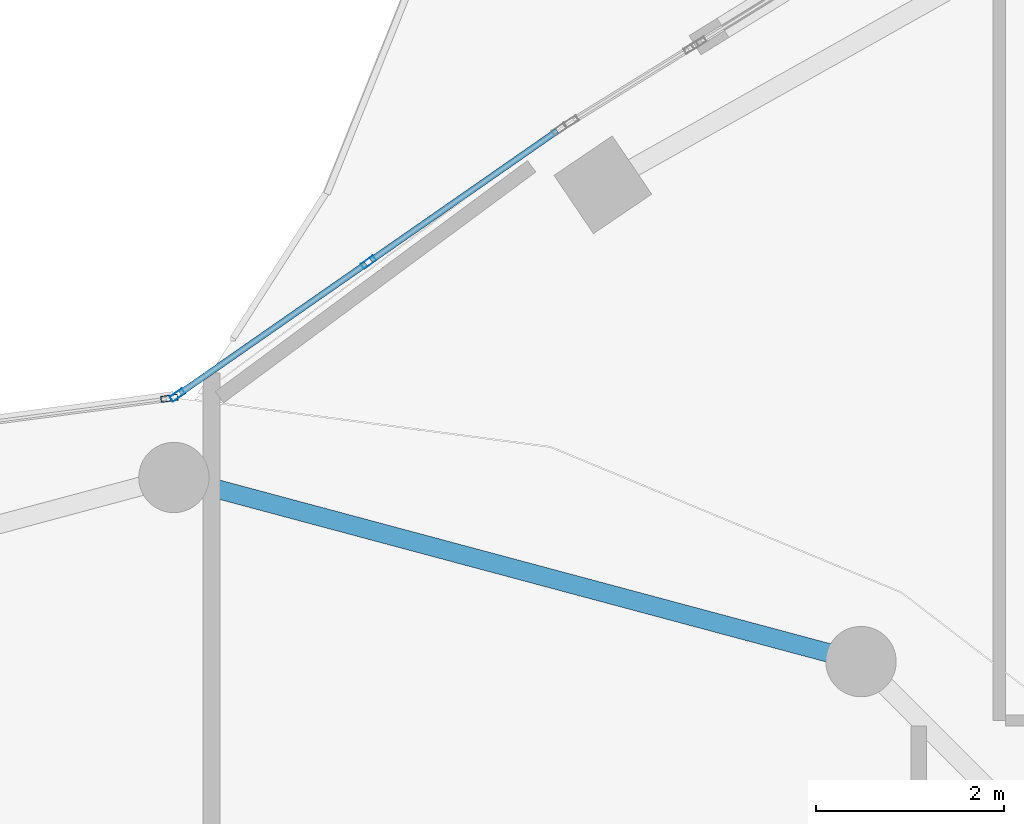
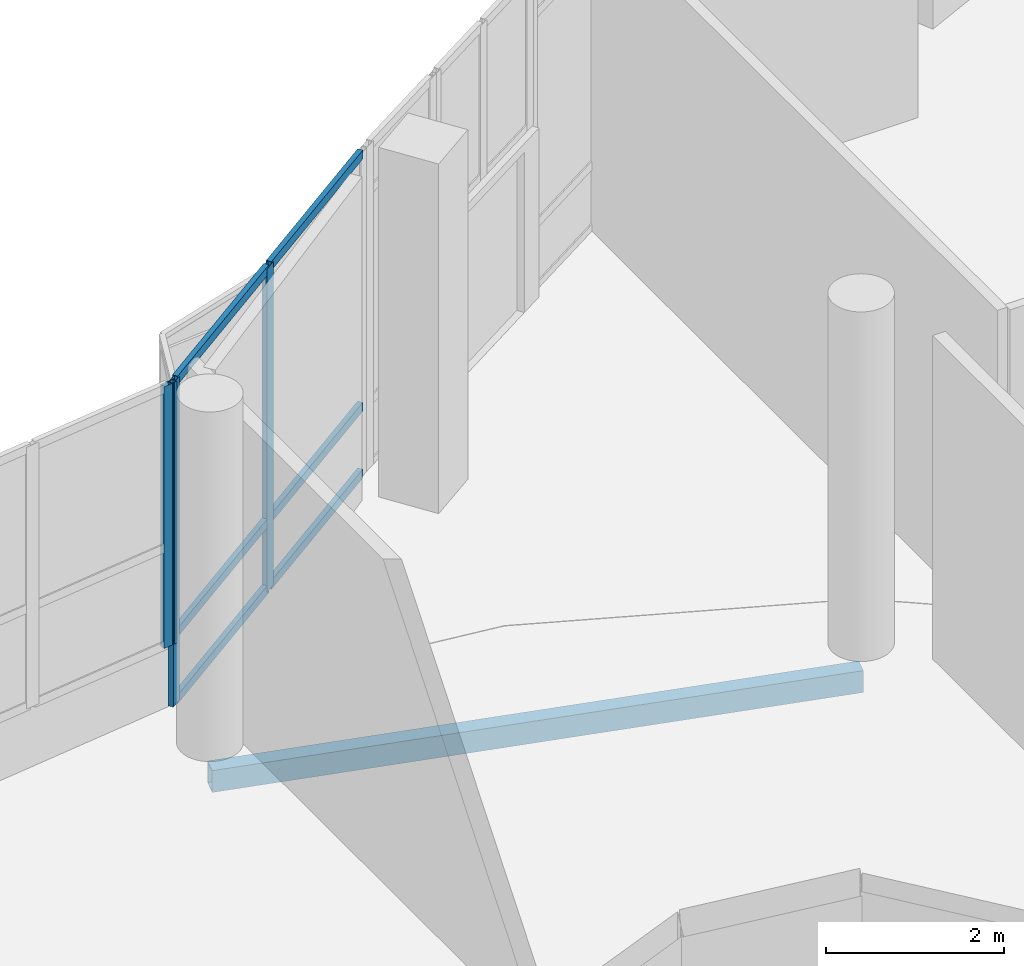
# One storey, part 61 of 168: 9 members, 1 beam, 2 elements without a shape of their own.
"""IFC4 building model written with IfcOpenShell, lengths in metres."""

from ifc_helpers import new_model, si_unit, direction, frame, origin, origin_2d, place, context, subcontext, project, spatial, hollow_rectangle, extrude, material, material_profile, profile_set, type_object, element, aggregate, save


model = new_model("IFC4")

# Units and contexts
model_context = context("Model", 3, precision=1e-05, world=origin(), true_north=direction((0.0, 1.0)))
body_context = subcontext(model_context, "Body", "Model", "MODEL_VIEW")
ifc_project = project(units=[si_unit("LENGTHUNIT", "METRE"), si_unit("AREAUNIT", "SQUARE_METRE"), si_unit("VOLUMEUNIT", "CUBIC_METRE"), si_unit("PLANEANGLEUNIT", "RADIAN"), si_unit("MASSUNIT", "GRAM", prefix="KILO")], contexts=[model_context])

# Site, building, storey
site_placement = place(None, origin())
site = spatial("IfcSite", under=ifc_project, at=site_placement, CompositionType="ELEMENT")
building_placement = place(site_placement, origin())
building = spatial("IfcBuilding", under=site, at=building_placement, Name="Selatvlak General Hospital", CompositionType="ELEMENT")
storey_placement = place(building_placement, frame((0.0, 0.0, 5.39990234375)))
storey = spatial("IfcBuildingStorey", under=building, at=storey_placement, Name="L01", CompositionType="ELEMENT", Elevation=5.39990234375)

# Beam
ifc_material_1 = material(Name="Steel S355", Category="steel")
ifc_material_profile_1 = material_profile(ifc_material_1, hollow_rectangle(XDim=0.199951171875, YDim=0.300048828125, WallThickness=0.011962890625, at=origin_2d()), Name="RHS 300x200x12")
ifc_profile_set_1 = profile_set([ifc_material_profile_1], Name="Steel S355")
beam_type = type_object("IfcBeamType", Name="BM-SP3", PredefinedType="SPANDREL", material=ifc_profile_set_1)
beam_placement = place(storey_placement, frame((105.324951171875, 66.68701171875, -0.469970703125), z_axis=(-0.965920028052, 0.25884068345, 0.0), x_axis=(-0.25884068345, -0.965920028052, 0.0)))
element("IfcBeam", 1, at=beam_placement, inside=storey, type_object=beam_type, Name="Beam BMR-L01-0713", PredefinedType="SPANDREL", context=body_context, shape_type="SweptSolid", body=[
    extrude(hollow_rectangle(XDim=0.199951171875, YDim=0.300048828125, WallThickness=0.011962890625, at=origin_2d()), origin(), (0.0, 0.0, 1.0), 7.58349609375),
])

# Curtain wall, members
ifc_material_2 = material(Name="Solar-control Low-E double glazing", Category="glass")
curtain_wall_type_1 = type_object("IfcCurtainWallType", Name="CW-CW-02", PredefinedType="USERDEFINED", material=ifc_material_2)
curtain_wall_1_placement = place(storey_placement, origin())
curtain_wall_1 = element("IfcCurtainWall", 2, at=curtain_wall_1_placement, inside=storey, type_object=curtain_wall_type_1, Name="Glazed facade curtain wall CW-L01-0220", ObjectType="UNITISED CURTAIN WALL", PredefinedType="USERDEFINED")
ifc_material_3 = material(Name="Dark anodised aluminium mullion", Category="aluminium")
ifc_material_profile_2 = material_profile(ifc_material_3, hollow_rectangle(XDim=0.06494140625, YDim=0.159912109375, WallThickness=0.00390625, at=origin_2d()), Name="AL-MUL 65x160x4")
ifc_profile_set_2 = profile_set([ifc_material_profile_2], Name="Dark anodised aluminium mullion")
member_type_1 = type_object("IfcMemberType", Name="CWM-01", PredefinedType="MULLION", material=ifc_profile_set_2)
member_1_placement = place(storey_placement, frame((98.03759765625, 69.527587890625, 0.0), z_axis=(0.0, 0.0, 1.0), x_axis=(-0.571111097841, 0.820872775723, 0.0)))
member_1 = element("IfcMember", 3, at=member_1_placement, type_object=member_type_1, Name="CW-02 mullion 1", PredefinedType="MULLION", context=body_context, shape_type="SweptSolid", body=[
    extrude(hollow_rectangle(XDim=0.06494140625, YDim=0.159912109375, WallThickness=0.00390625, at=origin_2d()), origin(), (0.0, 0.0, 1.0), 4.445068359375),
])
member_2_placement = place(storey_placement, frame((100.074951171875, 70.945068359375, 0.0), z_axis=(0.0, 0.0, 1.0), x_axis=(-0.571111097841, 0.820872775723, 0.0)))
member_2 = element("IfcMember", 4, at=member_2_placement, type_object=member_type_1, Name="CW-02 mullion 2", PredefinedType="MULLION", context=body_context, shape_type="SweptSolid", body=[
    extrude(hollow_rectangle(XDim=0.06494140625, YDim=0.159912109375, WallThickness=0.00390625, at=origin_2d()), origin(), (0.0, 0.0, 1.0), 4.445068359375),
])

# Curtain wall, member
curtain_wall_type_2 = type_object("IfcCurtainWallType", Name="CW-CW-04", PredefinedType="USERDEFINED", material=ifc_material_2)
curtain_wall_2_placement = place(storey_placement, origin())
curtain_wall_2 = element("IfcCurtainWall", 5, at=curtain_wall_2_placement, inside=storey, type_object=curtain_wall_type_2, Name="Glazed facade curtain wall CW-L01-0219", ObjectType="STICK GLAZING WALL", PredefinedType="USERDEFINED")
ifc_material_profile_3 = material_profile(ifc_material_3, hollow_rectangle(XDim=0.06494140625, YDim=0.179931640625, WallThickness=0.00439453125, at=origin_2d()), Name="AL-MUL 65x180x4.5")
ifc_profile_set_3 = profile_set([ifc_material_profile_3], Name="Dark anodised aluminium mullion")
member_type_2 = type_object("IfcMemberType", Name="CWM-02", PredefinedType="MULLION", material=ifc_profile_set_3)
member_3_placement = place(storey_placement, frame((97.95166015625, 69.49365234375, 0.85009765625), z_axis=(0.0, 0.0, 1.0), x_axis=(-0.130611050186, 0.991433685916, 0.0)))
member_3 = element("IfcMember", 6, at=member_3_placement, type_object=member_type_2, Name="CW-04 mullion 3", PredefinedType="MULLION", context=body_context, shape_type="SweptSolid", body=[
    extrude(hollow_rectangle(XDim=0.06494140625, YDim=0.179931640625, WallThickness=0.00439453125, at=origin_2d()), origin(), (0.0, 0.0, 1.0), 3.594970703125),
])
aggregate(curtain_wall_2, [member_3])

# Member
ifc_material_profile_4 = material_profile(ifc_material_3, hollow_rectangle(XDim=0.06494140625, YDim=0.1201171875, WallThickness=0.00390625, at=origin_2d()), Name="AL-TRN 65x120x4")
ifc_profile_set_4 = profile_set([ifc_material_profile_4], Name="Dark anodised aluminium mullion")
member_type_3 = type_object("IfcMemberType", Name="CWT-01", PredefinedType="USERDEFINED", material=ifc_profile_set_4)
member_4_placement = place(storey_placement, frame((98.064453125, 69.546142578125, 0.03271484375), z_axis=(0.820851666417, 0.571141437598, 0.0), x_axis=(-0.571141437598, 0.820851666417, 0.0)))
member_4 = element("IfcMember", 7, at=member_4_placement, type_object=member_type_3, Name="CW-02 transom 1.1", ObjectType="TRANSOM", PredefinedType="USERDEFINED", context=body_context, shape_type="SweptSolid", body=[
    extrude(hollow_rectangle(XDim=0.06494140625, YDim=0.1201171875, WallThickness=0.00390625, at=origin_2d()), origin(), (0.0, 0.0, 1.0), 2.416748046875),
])

member_5_placement = place(storey_placement, frame((98.064453125, 69.546142578125, 0.9501953125), z_axis=(0.820851666417, 0.571141437598, 0.0), x_axis=(-0.571141437598, 0.820851666417, 0.0)))
member_5 = element("IfcMember", 8, at=member_5_placement, type_object=member_type_3, Name="CW-02 transom 1.2", ObjectType="TRANSOM", PredefinedType="USERDEFINED", context=body_context, shape_type="SweptSolid", body=[
    extrude(hollow_rectangle(XDim=0.06494140625, YDim=0.1201171875, WallThickness=0.00390625, at=origin_2d()), origin(), (0.0, 0.0, 1.0), 2.416748046875),
])

member_6_placement = place(storey_placement, frame((98.064453125, 69.546142578125, 4.41259765625), z_axis=(0.820851666417, 0.571141437598, 0.0), x_axis=(-0.571141437598, 0.820851666417, 0.0)))
member_6 = element("IfcMember", 9, at=member_6_placement, type_object=member_type_3, Name="CW-02 transom 1.3", ObjectType="TRANSOM", PredefinedType="USERDEFINED", context=body_context, shape_type="SweptSolid", body=[
    extrude(hollow_rectangle(XDim=0.06494140625, YDim=0.1201171875, WallThickness=0.00390625, at=origin_2d()), origin(), (0.0, 0.0, 1.0), 2.416748046875),
])

member_7_placement = place(storey_placement, frame((100.1015625, 70.963623046875, 0.03271484375), z_axis=(0.82088461382, 0.571094082261, 0.0), x_axis=(-0.571094082261, 0.82088461382, 0.0)))
member_7 = element("IfcMember", 10, at=member_7_placement, type_object=member_type_3, Name="CW-02 transom 2.1", ObjectType="TRANSOM", PredefinedType="USERDEFINED", context=body_context, shape_type="SweptSolid", body=[
    extrude(hollow_rectangle(XDim=0.06494140625, YDim=0.1201171875, WallThickness=0.00390625, at=origin_2d()), origin(), (0.0, 0.0, 1.0), 2.4169921875),
])

member_8_placement = place(storey_placement, frame((100.1015625, 70.963623046875, 0.9501953125), z_axis=(0.82088461382, 0.571094082261, 0.0), x_axis=(-0.571094082261, 0.82088461382, 0.0)))
member_8 = element("IfcMember", 11, at=member_8_placement, type_object=member_type_3, Name="CW-02 transom 2.2", ObjectType="TRANSOM", PredefinedType="USERDEFINED", context=body_context, shape_type="SweptSolid", body=[
    extrude(hollow_rectangle(XDim=0.06494140625, YDim=0.1201171875, WallThickness=0.00390625, at=origin_2d()), origin(), (0.0, 0.0, 1.0), 2.4169921875),
])

member_9_placement = place(storey_placement, frame((100.1015625, 70.963623046875, 4.41259765625), z_axis=(0.82088461382, 0.571094082261, 0.0), x_axis=(-0.571094082261, 0.82088461382, 0.0)))
member_9 = element("IfcMember", 12, at=member_9_placement, type_object=member_type_3, Name="CW-02 transom 2.3", ObjectType="TRANSOM", PredefinedType="USERDEFINED", context=body_context, shape_type="SweptSolid", body=[
    extrude(hollow_rectangle(XDim=0.06494140625, YDim=0.1201171875, WallThickness=0.00390625, at=origin_2d()), origin(), (0.0, 0.0, 1.0), 2.4169921875),
])

aggregate(curtain_wall_1, [member_1, member_2, member_4, member_5, member_6, member_7, member_8, member_9])

save(model, "model.ifc")
